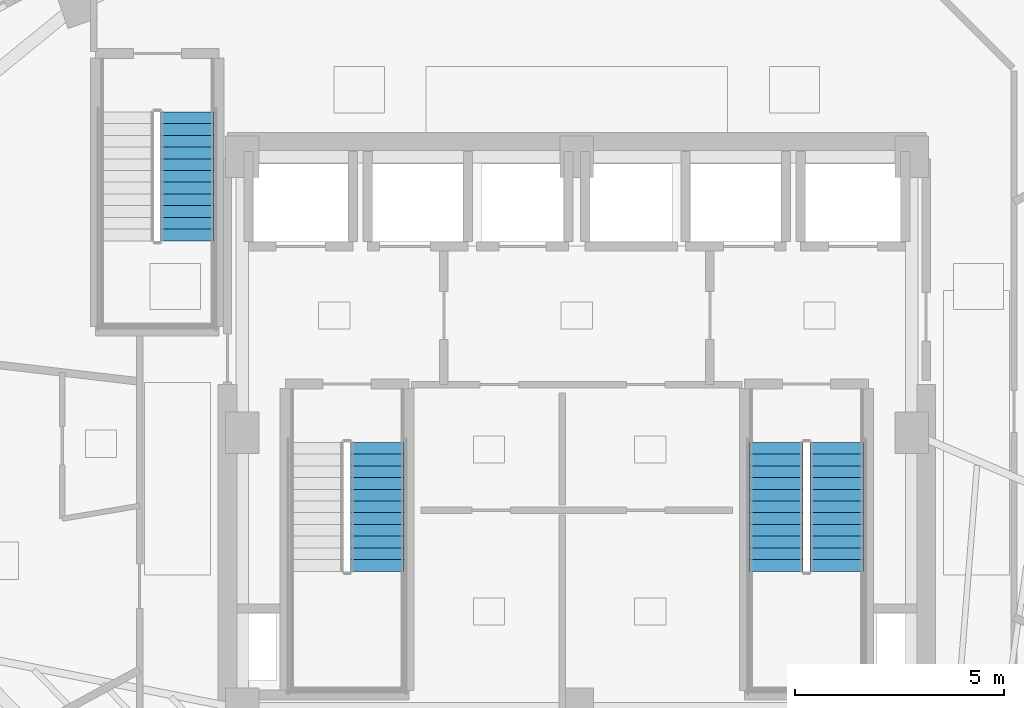
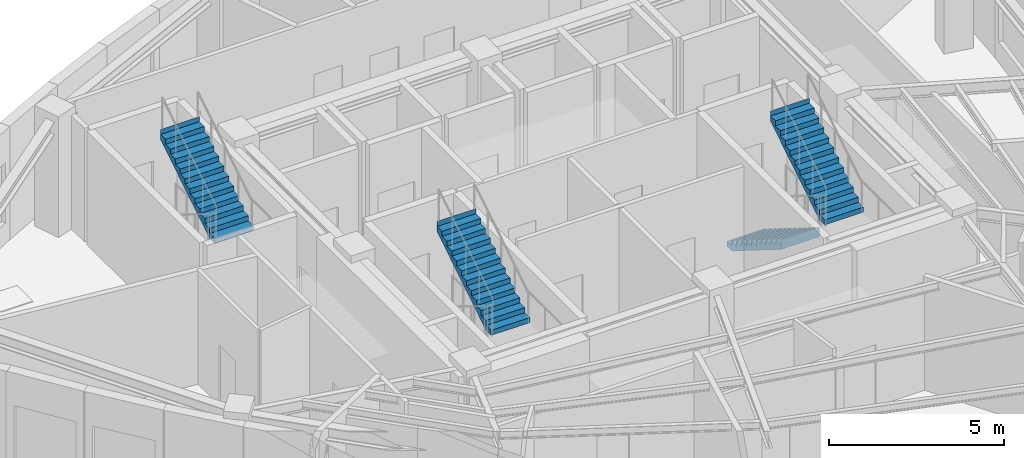
# One storey, part 6 of 9: 4 stair flights, 3 elements without a shape of their own.
"""IFC4 building model written with IfcOpenShell, lengths in metres."""

import ifcopenshell
import ifcopenshell.guid

model = None  # the IFC model being written
_history = None  # IfcOwnerHistory: only IFC2X3 demands one
_inside = {}  # id of a spatial element -> (the spatial element, [elements in it])
_under = {}  # id of a project, library or spatial element -> (it, [spatial elements below it])
_declared = {}  # id of a project -> (the project, [libraries it declares])
_typed = {}  # id of a type object -> (the type object, [elements of that type])
_made_of = {}  # id of a material, layer set ... -> (it, [elements and type objects made of it])


def new_model(schema):
    """Start an empty IFC model of exactly this schema.

    Asked for "IFC4X3", IfcOpenShell would pick the latest addendum, in which some entities
    have other attributes; the version numbers below select the first issue.
    IFC2X3 requires an IfcOwnerHistory on every rooted entity: one is made here for all.
    """
    global model, _history
    if schema == "IFC4X3":
        model = ifcopenshell.file(schema_version=(4, 3, 0, 0))
    else:
        model = ifcopenshell.file(schema=schema)
    _inside.clear()
    _under.clear()
    _declared.clear()
    _typed.clear()
    _made_of.clear()
    _history = None
    if model.schema == "IFC2X3":
        org = make("IfcOrganization", Name="unknown")
        user = make(
            "IfcPersonAndOrganization",
            ThePerson=make("IfcPerson", FamilyName="unknown"),
            TheOrganization=org,
        )
        app = make(
            "IfcApplication",
            ApplicationDeveloper=org,
            Version="unknown",
            ApplicationFullName="unknown",
            ApplicationIdentifier="unknown",
        )
        _history = make(
            "IfcOwnerHistory",
            OwningUser=user,
            OwningApplication=app,
            ChangeAction="ADDED",
            CreationDate=0,
        )
    return model


def make(cls, **values):
    """One entity of the class cls with the attributes given. An attribute that is None is left unset."""
    return model.create_entity(
        cls, **{name: value for name, value in values.items() if value is not None}
    )


def rooted(cls, **values):
    """An entity with a GlobalId (a new one), such as an element, a storey or a relation."""
    return make(cls, GlobalId=ifcopenshell.guid.new(), OwnerHistory=_history, **values)


def si_unit(unit_type, name, prefix=None):
    """IfcSIUnit, for example si_unit("LENGTHUNIT", "METRE", prefix="MILLI")."""
    return make("IfcSIUnit", UnitType=unit_type, Prefix=prefix, Name=name)


def assignment(units):
    """IfcUnitAssignment: the units of a project."""
    return None if units is None else make("IfcUnitAssignment", Units=units)


def point(xyz):
    """IfcCartesianPoint."""
    return None if xyz is None else make("IfcCartesianPoint", Coordinates=xyz)


def direction(xyz):
    """IfcDirection."""
    return None if xyz is None else make("IfcDirection", DirectionRatios=xyz)


def frame(location, z_axis=None, x_axis=None):
    """IfcAxis2Placement3D, a coordinate frame: its origin and axes. An axis left out is left unset."""
    return make(
        "IfcAxis2Placement3D",
        Location=point(location),
        Axis=direction(z_axis),
        RefDirection=direction(x_axis),
    )


def origin():
    """The frame at (0, 0, 0) with its axes left unset."""
    return frame((0.0, 0.0, 0.0))


def place(relative_to, where):
    """IfcLocalPlacement: puts the frame where relative to a parent placement (None: the world)."""
    return make(
        "IfcLocalPlacement", PlacementRelTo=relative_to, RelativePlacement=where
    )


def context(
    kind, dimensions, precision=None, world=None, true_north=None, identifier=None
):
    """IfcGeometricRepresentationContext, for example the 3D "Model" context."""
    return make(
        "IfcGeometricRepresentationContext",
        ContextIdentifier=identifier,
        ContextType=kind,
        CoordinateSpaceDimension=dimensions,
        Precision=precision,
        WorldCoordinateSystem=world,
        TrueNorth=true_north,
    )


def subcontext(parent, identifier, kind, view, scale=None):
    """IfcGeometricRepresentationSubContext, for example "Body" below "Model"."""
    return make(
        "IfcGeometricRepresentationSubContext",
        ContextIdentifier=identifier,
        ContextType=kind,
        ParentContext=parent,
        TargetScale=scale,
        TargetView=view,
    )


def project(units=None, contexts=None):
    """IfcProject with its units and contexts."""
    return rooted(
        "IfcProject",
        Name="project",
        RepresentationContexts=contexts,
        UnitsInContext=assignment(units),
    )


def spatial(cls, under=None, at=None, **own):
    """A site, building, storey or space (cls), placed at a placement, below another one or the project."""
    s = rooted(cls, ObjectPlacement=at, **own)
    if under is not None:
        _under.setdefault(under.id(), (under, []))[1].append(s)
    return s


def polyline(points):
    """IfcPolyline through the points."""
    return make("IfcPolyline", Points=[point(p) for p in points])


def outline(outer, holes=None, kind="AREA"):
    """IfcArbitraryClosedProfileDef: a profile drawn as a closed curve; with holes, ...WithVoids."""
    if holes is None:
        return make("IfcArbitraryClosedProfileDef", ProfileType=kind, OuterCurve=outer)
    return make(
        "IfcArbitraryProfileDefWithVoids",
        ProfileType=kind,
        OuterCurve=outer,
        InnerCurves=holes,
    )


def extrude(swept, where, along, depth):
    """IfcExtrudedAreaSolid: the profile swept, set in the frame where, extruded along a direction by depth."""
    return make(
        "IfcExtrudedAreaSolid",
        SweptArea=swept,
        Position=where,
        ExtrudedDirection=direction(along),
        Depth=depth,
    )


def shape(context_of_items, identifier, shape_type, items):
    """IfcShapeRepresentation: the items that make up one representation, for example the "Body"."""
    return make(
        "IfcShapeRepresentation",
        ContextOfItems=context_of_items,
        RepresentationIdentifier=identifier,
        RepresentationType=shape_type,
        Items=items,
    )


def material(Name=None, Category=None):
    """IfcMaterial."""
    return make("IfcMaterial", Name=Name, Category=Category)


def made_of(thing, what):
    """Note that an element or type object is made of a material, layer set ...; save() writes the relation."""
    if what is not None:
        _made_of.setdefault(what.id(), (what, []))[1].append(thing)
    return thing


def type_object(cls, material=None, **own):
    """A type object (cls), such as IfcWallType, which elements share."""
    return made_of(rooted(cls, **own), material)


def element(
    cls,
    number,
    at=None,
    inside=None,
    cuts=None,
    type_object=None,
    material=None,
    context=None,
    identifier="Body",
    shape_type=None,
    held_by="IfcProductDefinitionShape",
    body=None,
    shapes=None,
    **own,
):
    """One element of the class cls, such as IfcWall. Its Tag is "e" and its number.

    at: its placement. inside: the storey or other place that contains it. cuts: it is an
    opening in that element (IfcRelVoidsElement). A single representation is given by context,
    identifier, shape_type and body (its items); several are given by shapes. held_by: the class
    of the entity that holds the representations. save() writes the other relations.
    """
    e = rooted(cls, Tag="e%d" % number, ObjectPlacement=at, **own)
    if body is not None:
        shapes = [shape(context, identifier, shape_type, body)]
    if shapes is not None:
        e.Representation = make(held_by, Representations=shapes)
    if inside is not None:
        _inside.setdefault(inside.id(), (inside, []))[1].append(e)
    if cuts is not None:
        rooted(
            "IfcRelVoidsElement", RelatingBuildingElement=cuts, RelatedOpeningElement=e
        )
    if type_object is not None:
        _typed.setdefault(type_object.id(), (type_object, []))[1].append(e)
    return made_of(e, material)


def aggregate(whole, parts):
    """IfcRelAggregates: a whole, such as a stair, and the parts it consists of."""
    return rooted("IfcRelAggregates", RelatingObject=whole, RelatedObjects=parts)


def save(model, path):
    """Write the relations noted so far, then the file.

    IfcRelAggregates (storeys below a building ...), IfcRelContainedInSpatialStructure (elements
    in a storey), IfcRelDefinesByType, IfcRelAssociatesMaterial and IfcRelDeclares: one each for
    every whole, place, type object, material and project.
    """
    for whole, parts in _under.values():
        aggregate(whole, parts)
    for where, things in _inside.values():
        rooted(
            "IfcRelContainedInSpatialStructure",
            RelatedElements=things,
            RelatingStructure=where,
        )
    for kind, things in _typed.values():
        rooted("IfcRelDefinesByType", RelatedObjects=things, RelatingType=kind)
    for what, things in _made_of.values():
        rooted("IfcRelAssociatesMaterial", RelatedObjects=things, RelatingMaterial=what)
    for by, libraries in _declared.values():
        rooted("IfcRelDeclares", RelatingContext=by, RelatedDefinitions=libraries)
    model.write(path)


model = new_model("IFC4")

# Units and contexts
model_context = context("Model", 3, precision=1e-05, world=origin(), true_north=direction((0.0, 1.0)))
body_context = subcontext(model_context, "Body", "Model", "MODEL_VIEW")
ifc_project = project(units=[si_unit("LENGTHUNIT", "METRE"), si_unit("AREAUNIT", "SQUARE_METRE"), si_unit("VOLUMEUNIT", "CUBIC_METRE"), si_unit("PLANEANGLEUNIT", "RADIAN"), si_unit("MASSUNIT", "GRAM", prefix="KILO")], contexts=[model_context])

# Site, building, storey
site_placement = place(None, origin())
site = spatial("IfcSite", under=ifc_project, at=site_placement, CompositionType="ELEMENT")
building_placement = place(site_placement, origin())
building = spatial("IfcBuilding", under=site, at=building_placement, Name="Ndelora Gate Hotel", CompositionType="ELEMENT")
storey_placement = place(building_placement, frame((0.0, 0.0, 268.60009765625)))
storey = spatial("IfcBuildingStorey", under=building, at=storey_placement, Name="L67", CompositionType="ELEMENT", Elevation=268.60009765625)

# Stair, stair flight
ifc_material = material(Name="Precast concrete C40/50", Category="concrete")
stair_type = type_object("IfcStairType", Name="STR-DOG-CORE", PredefinedType="HALF_TURN_STAIR", material=ifc_material)
stair_1_placement = place(storey_placement, origin())
stair_1 = element("IfcStair", 1, at=stair_1_placement, inside=storey, type_object=stair_type, Name="L67 Protected Core Exit Stair ST4", PredefinedType="HALF_TURN_STAIR")
stair_flight_type = type_object("IfcStairFlightType", Name="STF-PRECAST", PredefinedType="STRAIGHT", material=ifc_material)
stair_flight_1_placement = place(storey_placement, frame((-4.77001953125, -3.31005859375, 2.099853515625), z_axis=(0.0, 0.0, 1.0), x_axis=(0.0, 1.0, 0.0)))
stair_flight_1 = element("IfcStairFlight", 2, at=stair_flight_1_placement, type_object=stair_flight_type, Name="ST4 flight 2", NumberOfRisers=12, NumberOfTreads=11, PredefinedType="STRAIGHT", RiserHeight=0.175, TreadLength=0.28, context=body_context, shape_type="SweptSolid", body=[
    extrude(outline(polyline([(-0.00048828125, 0.0), (-0.00048828125, 0.175048828125), (0.0, 0.175048828125), (0.280029296875, 0.175048828125), (0.280029296875, 0.35009765625), (0.56005859375, 0.35009765625), (0.56005859375, 0.52490234375), (0.840087890625, 0.52490234375), (0.840087890625, 0.699951171875), (1.1201171875, 0.699951171875), (1.1201171875, 0.875), (1.39990234375, 0.875), (1.39990234375, 1.050048828125), (1.679931640625, 1.050048828125), (1.679931640625, 1.22509765625), (1.9599609375, 1.22509765625), (1.9599609375, 1.39990234375), (2.239990234375, 1.39990234375), (2.239990234375, 1.574951171875), (2.52001953125, 1.574951171875), (2.52001953125, 1.75), (2.800048828125, 1.75), (2.800048828125, 1.925048828125), (3.080078125, 1.925048828125), (3.080078125, 2.10009765625), (3.08056640625, 2.10009765625), (3.08056640625, 1.919921875), (3.080078125, 1.748291015625), (0.28271484375, 0.0), (-0.00048828125, 0.0)])), frame((0.0, 0.64013671875, 0.0), z_axis=(0.0, -1.0, 0.0), x_axis=(1.0, 0.0, 0.0)), (0.0, 0.0, 1.0), 1.280029296875),
])
aggregate(stair_1, [stair_flight_1])

# Stair, stair flights
stair_2_placement = place(storey_placement, origin())
stair_2 = element("IfcStair", 3, at=stair_2_placement, inside=storey, type_object=stair_type, Name="L67 Protected Core Exit Stair ST5", PredefinedType="HALF_TURN_STAIR")
stair_flight_2_placement = place(storey_placement, frame((4.77001953125, -0.22998046875, 0.0), z_axis=(0.0, 0.0, 1.0), x_axis=(0.0, -1.0, 0.0)))
stair_flight_2 = element("IfcStairFlight", 4, at=stair_flight_2_placement, type_object=stair_flight_type, Name="ST5 flight 1", NumberOfRisers=12, NumberOfTreads=11, PredefinedType="STRAIGHT", RiserHeight=0.175, TreadLength=0.28, context=body_context, shape_type="SweptSolid", body=[
    extrude(outline(polyline([(-0.00048828125, 0.0), (-0.00048828125, 0.175048828125), (0.0, 0.175048828125), (0.280029296875, 0.175048828125), (0.280029296875, 0.35009765625), (0.56005859375, 0.35009765625), (0.56005859375, 0.52490234375), (0.840087890625, 0.52490234375), (0.840087890625, 0.699951171875), (1.1201171875, 0.699951171875), (1.1201171875, 0.875), (1.39990234375, 0.875), (1.39990234375, 1.050048828125), (1.679931640625, 1.050048828125), (1.679931640625, 1.22509765625), (1.9599609375, 1.22509765625), (1.9599609375, 1.39990234375), (2.239990234375, 1.39990234375), (2.239990234375, 1.574951171875), (2.52001953125, 1.574951171875), (2.52001953125, 1.75), (2.800048828125, 1.75), (2.800048828125, 1.925048828125), (3.080078125, 1.925048828125), (3.080078125, 2.10009765625), (3.08056640625, 2.10009765625), (3.08056640625, 1.919921875), (3.080078125, 1.748291015625), (0.28271484375, 0.0), (-0.00048828125, 0.0)])), frame((0.0, 0.64013671875, 0.0), z_axis=(0.0, -1.0, 0.0), x_axis=(1.0, 0.0, 0.0)), (0.0, 0.0, 1.0), 1.280029296875),
])
stair_flight_3_placement = place(storey_placement, frame((6.2099609375, -3.31005859375, 2.099853515625), z_axis=(0.0, 0.0, 1.0), x_axis=(0.0, 1.0, 0.0)))
stair_flight_3 = element("IfcStairFlight", 5, at=stair_flight_3_placement, type_object=stair_flight_type, Name="ST5 flight 2", NumberOfRisers=12, NumberOfTreads=11, PredefinedType="STRAIGHT", RiserHeight=0.175, TreadLength=0.28, context=body_context, shape_type="SweptSolid", body=[
    extrude(outline(polyline([(-0.00048828125, 0.0), (-0.00048828125, 0.175048828125), (0.0, 0.175048828125), (0.280029296875, 0.175048828125), (0.280029296875, 0.35009765625), (0.56005859375, 0.35009765625), (0.56005859375, 0.52490234375), (0.840087890625, 0.52490234375), (0.840087890625, 0.699951171875), (1.1201171875, 0.699951171875), (1.1201171875, 0.875), (1.39990234375, 0.875), (1.39990234375, 1.050048828125), (1.679931640625, 1.050048828125), (1.679931640625, 1.22509765625), (1.9599609375, 1.22509765625), (1.9599609375, 1.39990234375), (2.239990234375, 1.39990234375), (2.239990234375, 1.574951171875), (2.52001953125, 1.574951171875), (2.52001953125, 1.75), (2.800048828125, 1.75), (2.800048828125, 1.925048828125), (3.080078125, 1.925048828125), (3.080078125, 2.10009765625), (3.08056640625, 2.10009765625), (3.08056640625, 1.919921875), (3.080078125, 1.748291015625), (0.28271484375, 0.0), (-0.00048828125, 0.0)])), frame((0.0, 0.64013671875, 0.0), z_axis=(0.0, -1.0, 0.0), x_axis=(1.0, 0.0, 0.0)), (0.0, 0.0, 1.0), 1.280029296875),
])
aggregate(stair_2, [stair_flight_2, stair_flight_3])

# Stair, stair flight
stair_3_placement = place(storey_placement, origin())
stair_3 = element("IfcStair", 6, at=stair_3_placement, inside=storey, type_object=stair_type, Name="L67 Crown Observation Exit Stair ST6", PredefinedType="HALF_TURN_STAIR")
stair_flight_4_placement = place(storey_placement, frame((-9.31005859375, 4.590087890625, 2.099853515625), z_axis=(0.0, 0.0, 1.0), x_axis=(0.0, 1.0, 0.0)))
stair_flight_4 = element("IfcStairFlight", 7, at=stair_flight_4_placement, type_object=stair_flight_type, Name="ST6 flight 2", NumberOfRisers=12, NumberOfTreads=11, PredefinedType="STRAIGHT", RiserHeight=0.175, TreadLength=0.28, context=body_context, shape_type="SweptSolid", body=[
    extrude(outline(polyline([(-0.00048828125, 0.0), (-0.00048828125, 0.175048828125), (0.0, 0.175048828125), (0.280029296875, 0.175048828125), (0.280029296875, 0.35009765625), (0.56005859375, 0.35009765625), (0.56005859375, 0.52490234375), (0.840087890625, 0.52490234375), (0.840087890625, 0.699951171875), (1.1201171875, 0.699951171875), (1.1201171875, 0.875), (1.39990234375, 0.875), (1.39990234375, 1.050048828125), (1.679931640625, 1.050048828125), (1.679931640625, 1.22509765625), (1.9599609375, 1.22509765625), (1.9599609375, 1.39990234375), (2.239990234375, 1.39990234375), (2.239990234375, 1.574951171875), (2.52001953125, 1.574951171875), (2.52001953125, 1.75), (2.800048828125, 1.75), (2.800048828125, 1.925048828125), (3.080078125, 1.925048828125), (3.080078125, 2.10009765625), (3.08056640625, 2.10009765625), (3.08056640625, 1.919921875), (3.080078125, 1.748291015625), (0.28271484375, 0.0), (-0.00048828125, 0.0)])), frame((0.0, 0.64013671875, 0.0), z_axis=(0.0, -1.0, 0.0), x_axis=(1.0, 0.0, 0.0)), (0.0, 0.0, 1.0), 1.280029296875),
])
aggregate(stair_3, [stair_flight_4])

save(model, "model.ifc")
